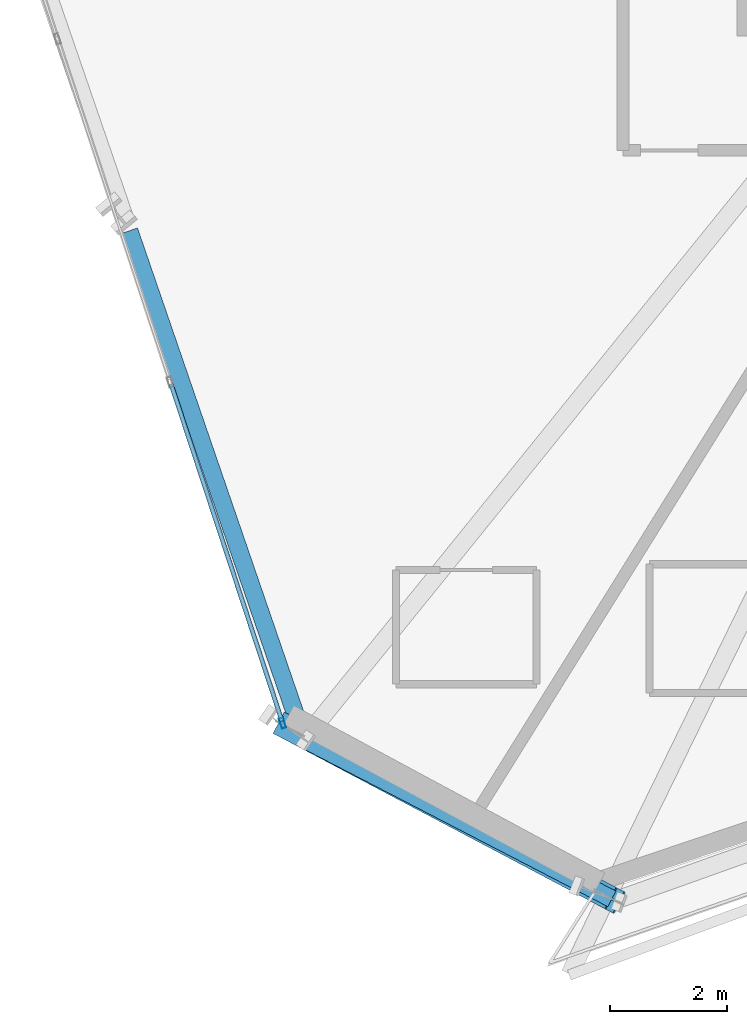
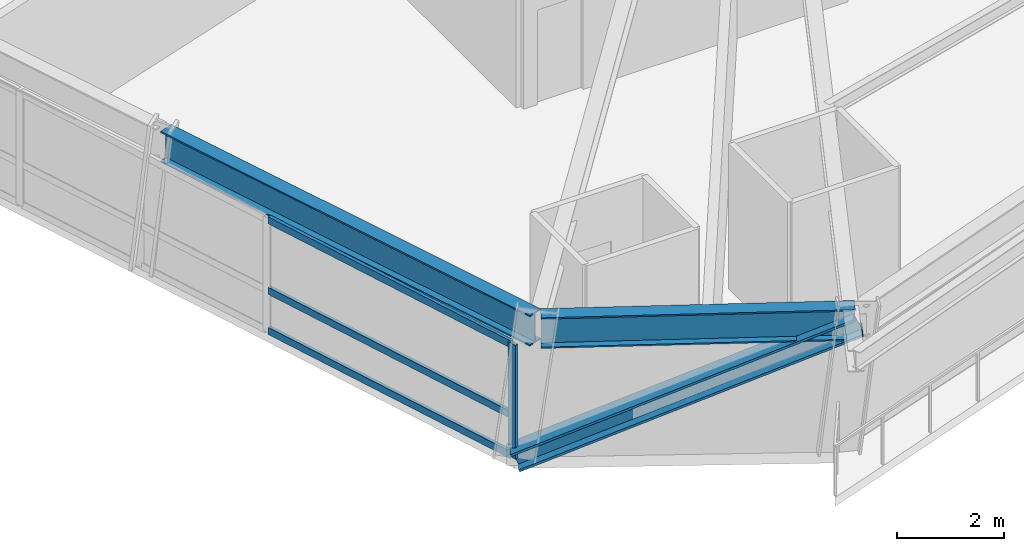
# One storey, part 2 of 22: 5 members, 2 beams, 1 element without a shape of its own.
"""IFC4 building model written with IfcOpenShell, lengths in metres."""

from ifc_helpers import new_model, si_unit, direction, frame, origin, origin_2d, place, context, subcontext, project, spatial, hollow_rectangle, i_section, extrude, source, transform, mapped, material, material_profile, profile_set, type_object, element, aggregate, save


model = new_model("IFC4")

# Units and contexts
model_context = context("Model", 3, precision=1e-05, world=origin(), true_north=direction((0.0, 1.0)))
body_context = subcontext(model_context, "Body", "Model", "MODEL_VIEW")
ifc_project = project(units=[si_unit("LENGTHUNIT", "METRE"), si_unit("AREAUNIT", "SQUARE_METRE"), si_unit("VOLUMEUNIT", "CUBIC_METRE"), si_unit("PLANEANGLEUNIT", "RADIAN"), si_unit("MASSUNIT", "GRAM", prefix="KILO")], contexts=[model_context])

# Site, building, storey
site_placement = place(None, origin())
site = spatial("IfcSite", under=ifc_project, at=site_placement, CompositionType="ELEMENT")
building_placement = place(site_placement, origin())
building = spatial("IfcBuilding", under=site, at=building_placement, Name="Olszyna Solenne Hotel", CompositionType="ELEMENT")
storey_placement = place(building_placement, frame((0.0, 0.0, 57.699951171875)))
storey = spatial("IfcBuildingStorey", under=building, at=storey_placement, Name="L14", CompositionType="ELEMENT", Elevation=57.699951171875)

# Beams
ifc_material_1 = material(Name="Steel S355J2", Category="steel")
ifc_material_profile_1 = material_profile(ifc_material_1, i_section(OverallWidth=0.300048828125, OverallDepth=0.699951171875, WebThickness=0.01708984375, FlangeThickness=0.031982421875, at=origin_2d()), Name="HEB 700", Category="load-bearing")
ifc_profile_set_1 = profile_set([ifc_material_profile_1], Name="Steel S355J2")
beam_type = type_object("IfcBeamType", Name="BM-S1", PredefinedType="BEAM", material=ifc_profile_set_1)
shared_shape_1 = source(origin(), body_context, "Body", "SweptSolid", [
    extrude(i_section(OverallWidth=0.300048828125, OverallDepth=0.699951171875, WebThickness=0.01708984375, FlangeThickness=0.031982421875, at=origin_2d()), origin(), (0.0, 0.0, 1.0), 9.119384765625),
])
beam_1_placement = place(storey_placement, frame((18.87109375, 15.326171875, 2.949951171875), z_axis=(0.325144862065, -0.945664220891, 0.0), x_axis=(0.945664220891, 0.325144862065, 0.0)))
element("IfcBeam", 1, at=beam_1_placement, inside=storey, type_object=beam_type, Name="Perimeter spandrel beam BM-S1 B-L14-0443", PredefinedType="BEAM", context=body_context, shape_type="MappedRepresentation", body=[
    mapped(shared_shape_1, transform((0.0, 0.0, 0.0), x_axis=(1.0, 0.0, 0.0), y_axis=(0.0, 1.0, 0.0), z_axis=(0.0, 0.0, 1.0), scale=1.0)),
])
shared_shape_2 = source(origin(), body_context, "Body", "SweptSolid", [
    extrude(i_section(OverallWidth=0.300048828125, OverallDepth=0.699951171875, WebThickness=0.01708984375, FlangeThickness=0.031982421875, at=origin_2d()), origin(), (0.0, 0.0, 1.0), 5.858642578125),
])
beam_2_placement = place(storey_placement, frame((21.908935546875, 6.6181640625, 2.949951171875), z_axis=(0.887823269187, -0.46018457459, 0.0), x_axis=(0.46018457459, 0.887823269187, 0.0)))
element("IfcBeam", 2, at=beam_2_placement, inside=storey, type_object=beam_type, Name="Perimeter spandrel beam BM-S1 B-L14-0444", PredefinedType="BEAM", context=body_context, shape_type="MappedRepresentation", body=[
    mapped(shared_shape_2, transform((0.0, 0.0, 0.0), x_axis=(1.0, 0.0, 0.0), y_axis=(0.0, 1.0, 0.0), z_axis=(0.0, 0.0, 1.0), scale=1.0)),
])

# Member
ifc_material_2 = material(Name="Steel S460M", Category="steel")
ifc_material_profile_2 = material_profile(ifc_material_2, i_section(OverallWidth=0.412109375, OverallDepth=0.43505859375, WebThickness=0.031494140625, FlangeThickness=0.050048828125, at=origin_2d()), Name="HD 400x463", Category="load-bearing")
ifc_profile_set_2 = profile_set([ifc_material_profile_2], Name="Steel S460M")
member_type_1 = type_object("IfcMemberType", Name="BR-T1", PredefinedType="BRACE", material=ifc_profile_set_2)
shared_shape_3 = source(origin(), body_context, "Body", "SweptSolid", [
    extrude(i_section(OverallWidth=0.412109375, OverallDepth=0.43505859375, WebThickness=0.031494140625, FlangeThickness=0.050048828125, at=origin_2d()), origin(), (0.0, 0.0, 1.0), 7.032958984375),
])
member_1_placement = place(storey_placement, frame((21.501220703125, 6.88720703125, 0.010009765625), z_axis=(0.805157507785, -0.4255594502, 0.413062394806), x_axis=(0.467286895403, 0.884105738803, 0.0)))
element("IfcMember", 3, at=member_1_placement, inside=storey, type_object=member_type_1, Name="Perimeter braced-tube diagonal BR-T1 BR-L14-3", PredefinedType="BRACE", context=body_context, shape_type="MappedRepresentation", body=[
    mapped(shared_shape_3, transform((0.0, 0.0, 0.0), x_axis=(1.0, 0.0, 0.0), y_axis=(0.0, 1.0, 0.0), z_axis=(0.0, 0.0, 1.0), scale=1.0)),
])

# Curtain wall, members
ifc_material_3 = material(Name="Anodised bronze aluminium", Category="aluminium")
curtain_wall_type = type_object("IfcCurtainWallType", Name="CW-SYS-2", PredefinedType="NOTDEFINED", material=ifc_material_3)
curtain_wall_placement = place(storey_placement, origin())
curtain_wall = element("IfcCurtainWall", 4, at=curtain_wall_placement, inside=storey, type_object=curtain_wall_type, Name="Unitised curtain wall CW-SYS-2 CW-L14-01", PredefinedType="NOTDEFINED")
ifc_material_profile_3 = material_profile(ifc_material_3, hollow_rectangle(XDim=0.074951171875, YDim=0.179931640625, WallThickness=0.00439453125, at=origin_2d()), Name="MULL 180x75x4.5", Category="load-bearing")
ifc_profile_set_3 = profile_set([ifc_material_profile_3], Name="Anodised bronze aluminium")
member_type_2 = type_object("IfcMemberType", Name="CW-M2", PredefinedType="MULLION", material=ifc_profile_set_3)
shared_shape_4 = source(origin(), body_context, "Body", "SweptSolid", [
    extrude(hollow_rectangle(XDim=0.074951171875, YDim=0.179931640625, WallThickness=0.00439453125, at=origin_2d()), origin(), (0.0, 0.0, 1.0), 2.592041015625),
])
member_2_placement = place(storey_placement, frame((21.489501953125, 6.9228515625, 0.0), z_axis=(0.0, 0.0, 1.0), x_axis=(0.949869512592, 0.312646620081, 0.0)))
member_2 = element("IfcMember", 5, at=member_2_placement, type_object=member_type_2, Name="Curtain-wall mullion CW-M2 CM-L14-01-04", PredefinedType="MULLION", context=body_context, shape_type="MappedRepresentation", body=[
    mapped(shared_shape_4, transform((0.0, 0.0, 0.0), x_axis=(1.0, 0.0, 0.0), y_axis=(0.0, 1.0, 0.0), z_axis=(0.0, 0.0, 1.0), scale=1.0)),
])
ifc_material_profile_4 = material_profile(ifc_material_3, hollow_rectangle(XDim=0.074951171875, YDim=0.159912109375, WallThickness=0.00390625, at=origin_2d()), Name="TRAN 160x75x4", Category="load-bearing")
ifc_profile_set_4 = profile_set([ifc_material_profile_4], Name="Anodised bronze aluminium")
member_type_3 = type_object("IfcMemberType", Name="CW-T1", PredefinedType="USERDEFINED", material=ifc_profile_set_4)
shared_shape_5 = source(origin(), body_context, "Body", "SweptSolid", [
    extrude(hollow_rectangle(XDim=0.074951171875, YDim=0.159912109375, WallThickness=0.00390625, at=origin_2d()), origin(), (0.0, 0.0, 1.0), 6.05419921875),
])
member_3_placement = place(storey_placement, frame((19.5849609375, 12.709228515625, 0.03759765625), z_axis=(0.312644597438, -0.949870178337, 0.0), x_axis=(0.949870178337, 0.312644597438, 0.0)))
member_3 = element("IfcMember", 6, at=member_3_placement, type_object=member_type_3, Name="Curtain-wall transom CW-T1 CT-L14-01-07", ObjectType="TRANSOM", PredefinedType="USERDEFINED", context=body_context, shape_type="MappedRepresentation", body=[
    mapped(shared_shape_5, transform((0.0, 0.0, 0.0), x_axis=(1.0, 0.0, 0.0), y_axis=(0.0, 1.0, 0.0), z_axis=(0.0, 0.0, 1.0), scale=1.0)),
])
member_4_placement = place(storey_placement, frame((19.5849609375, 12.709228515625, 0.949951171875), z_axis=(0.312644597438, -0.949870178337, 0.0), x_axis=(0.949870178337, 0.312644597438, 0.0)))
member_4 = element("IfcMember", 7, at=member_4_placement, type_object=member_type_3, Name="Curtain-wall transom CW-T1 CT-L14-01-08", ObjectType="TRANSOM", PredefinedType="USERDEFINED", context=body_context, shape_type="MappedRepresentation", body=[
    mapped(shared_shape_5, transform((0.0, 0.0, 0.0), x_axis=(1.0, 0.0, 0.0), y_axis=(0.0, 1.0, 0.0), z_axis=(0.0, 0.0, 1.0), scale=1.0)),
])
member_5_placement = place(storey_placement, frame((19.5849609375, 12.709228515625, 2.554443359375), z_axis=(0.312644597438, -0.949870178337, 0.0), x_axis=(0.949870178337, 0.312644597438, 0.0)))
member_5 = element("IfcMember", 8, at=member_5_placement, type_object=member_type_3, Name="Curtain-wall transom CW-T1 CT-L14-01-09", ObjectType="TRANSOM", PredefinedType="USERDEFINED", context=body_context, shape_type="MappedRepresentation", body=[
    mapped(shared_shape_5, transform((0.0, 0.0, 0.0), x_axis=(1.0, 0.0, 0.0), y_axis=(0.0, 1.0, 0.0), z_axis=(0.0, 0.0, 1.0), scale=1.0)),
])
aggregate(curtain_wall, [member_2, member_3, member_4, member_5])

save(model, "model.ifc")
